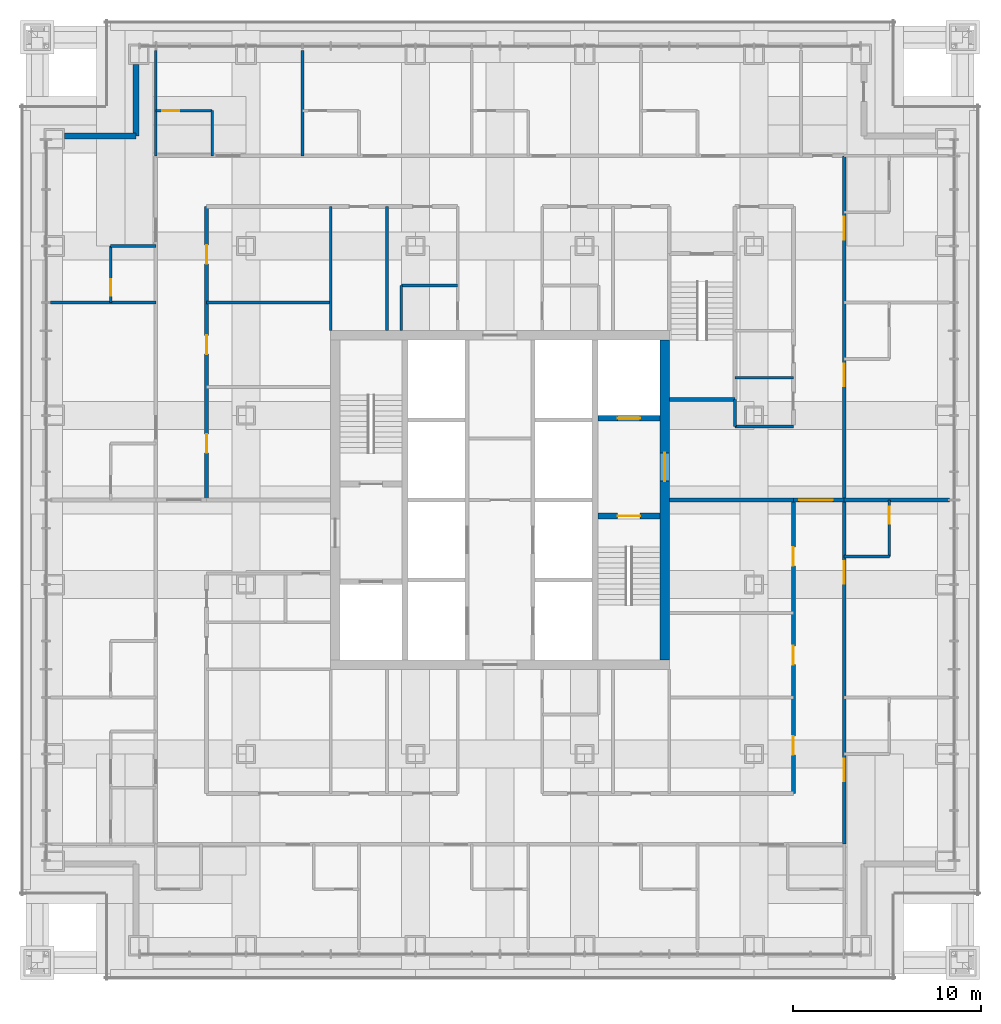
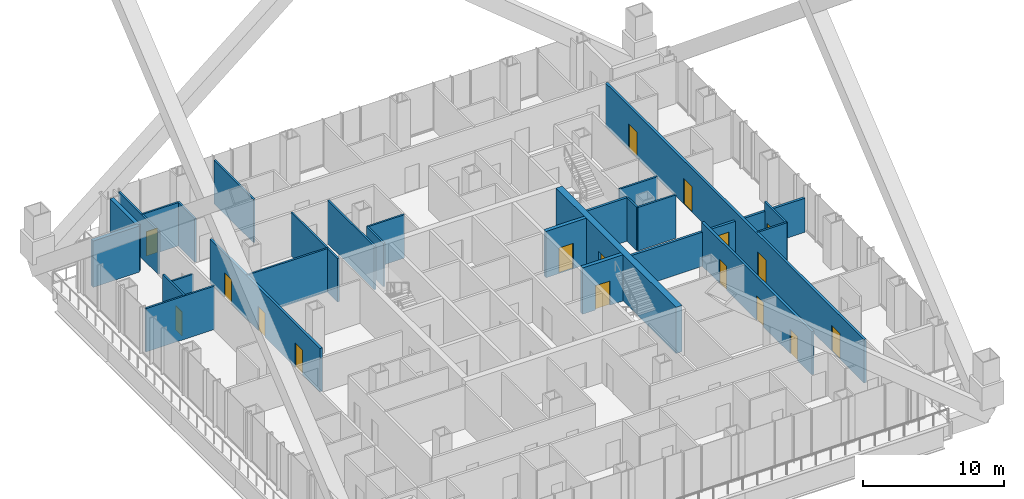
# One storey, part 17 of 20: 29 walls, 17 doors, 17 openings.
"""IFC4 building model written with IfcOpenShell, lengths in metres."""

from ifc_helpers import new_model, si_unit, direction, frame, frame_2d, origin, place, context, subcontext, project, spatial, rectangle, extrude, material, layer, layer_set, type_object, element, fill, save


model = new_model("IFC4")

# Units and contexts
model_context = context("Model", 3, precision=1e-05, world=origin(), true_north=direction((0.0, 1.0)))
body_context = subcontext(model_context, "Body", "Model", "MODEL_VIEW")
ifc_project = project(units=[si_unit("LENGTHUNIT", "METRE"), si_unit("AREAUNIT", "SQUARE_METRE"), si_unit("VOLUMEUNIT", "CUBIC_METRE"), si_unit("PLANEANGLEUNIT", "RADIAN"), si_unit("MASSUNIT", "GRAM", prefix="KILO")], contexts=[model_context])

# Site, building, storey
site_placement = place(None, origin())
site = spatial("IfcSite", under=ifc_project, at=site_placement, CompositionType="ELEMENT")
building_placement = place(site_placement, origin())
building = spatial("IfcBuilding", under=site, at=building_placement, Name="Malebo Sky Hospital", CompositionType="ELEMENT")
storey_placement = place(building_placement, frame((0.0, 0.0, 100.0)))
storey = spatial("IfcBuildingStorey", under=building, at=storey_placement, Name="L23", CompositionType="ELEMENT", Elevation=100.0)

# Wall, opening, door
ifc_material_1 = material(Name="Concrete C80/95", Category="concrete")
ifc_layer_1 = layer(ifc_material_1, 0.300048828125)
ifc_layer_set_1 = layer_set([ifc_layer_1], Name="CORE INNER WALL 300")
wall_type_1 = type_object("IfcWallType", Name="CORE INNER WALL 300", PredefinedType="SHEAR", material=ifc_layer_set_1)
wall_1_placement = place(storey_placement, frame((65.199951171875, 61.14990234375, 0.0), z_axis=(0.0, 0.0, 1.0), x_axis=(1.0, 0.0, 0.0)))
wall_1 = element("IfcWall", 1, at=wall_1_placement, inside=storey, type_object=wall_type_1, Name="Core wall E1 L23", PredefinedType="SHEAR", context=body_context, shape_type="SweptSolid", body=[
    extrude(rectangle(XDim=3.300048828125, YDim=0.300048828125, at=frame_2d((1.64990234375, 0.0))), origin(), (0.0, 0.0, 1.0), 4.0),
])
opening_1_placement = place(wall_1_placement, frame((1.050048828125, 0.0, 0.0)))
opening_1 = element("IfcOpeningElement", 2, at=opening_1_placement, cuts=wall_1, Name="Opening D08", PredefinedType="OPENING", context=body_context, shape_type="SweptSolid", body=[
    extrude(rectangle(XDim=1.199951171875, YDim=2.10009765625, at=frame_2d((0.60009765625, 1.050048828125))), frame((0.0, 0.159912109375, 0.0), z_axis=(0.0, -1.0, 0.0), x_axis=(1.0, 0.0, 0.0)), (0.0, 0.0, 1.0), 0.320068359375),
])
ifc_material_2 = material(Name="Hardwood-faced door leaf in steel frame", Category="steel")
door_type_1 = type_object("IfcDoorType", Name="STAIR DOOR 1200", OperationType="SINGLE_SWING_LEFT", PredefinedType="DOOR", material=ifc_material_2)
door_1_placement = place(opening_1_placement, origin())
door_1 = element("IfcDoor", 3, at=door_1_placement, inside=storey, type_object=door_type_1, Name="Stair S2 door", OperationType="SINGLE_SWING_LEFT", OverallHeight=2.10009765625, OverallWidth=1.199951171875, PredefinedType="DOOR", context=body_context, shape_type="SweptSolid", body=[
    extrude(rectangle(XDim=1.199951171875, YDim=2.10009765625, at=frame_2d((0.60009765625, 1.050048828125))), frame((0.0, 0.02490234375, 0.0), z_axis=(0.0, -1.0, 0.0), x_axis=(1.0, 0.0, 0.0)), (0.0, 0.0, 1.0), 0.050048828125),
])
fill(opening_1, door_1)

wall_2_placement = place(storey_placement, frame((65.199951171875, 66.35009765625, 0.0), z_axis=(0.0, 0.0, 1.0), x_axis=(1.0, 0.0, 0.0)))
wall_2 = element("IfcWall", 4, at=wall_2_placement, inside=storey, type_object=wall_type_1, Name="Core wall E2 L23", PredefinedType="SHEAR", context=body_context, shape_type="SweptSolid", body=[
    extrude(rectangle(XDim=3.300048828125, YDim=0.300048828125, at=frame_2d((1.64990234375, 0.0))), origin(), (0.0, 0.0, 1.0), 4.0),
])
opening_2_placement = place(wall_2_placement, frame((1.050048828125, 0.0, 0.0)))
opening_2 = element("IfcOpeningElement", 5, at=opening_2_placement, cuts=wall_2, Name="Opening LD2", PredefinedType="OPENING", context=body_context, shape_type="SweptSolid", body=[
    extrude(rectangle(XDim=1.199951171875, YDim=2.199951171875, at=frame_2d((0.60009765625, 1.10009765625))), frame((0.0, 0.159912109375, 0.0), z_axis=(0.0, -1.0, 0.0), x_axis=(1.0, 0.0, 0.0)), (0.0, 0.0, 1.0), 0.320068359375),
])
ifc_material_3 = material(Name="Stainless steel sliding landing door", Category="steel")
door_type_2 = type_object("IfcDoorType", Name="FIRE-FIGHTING LIFT LANDING DOOR 1200", OperationType="SLIDING_TO_LEFT", PredefinedType="DOOR", material=ifc_material_3)
door_2_placement = place(opening_2_placement, origin())
door_2 = element("IfcDoor", 6, at=door_2_placement, inside=storey, type_object=door_type_2, Name="Lift FL2 landing door", OperationType="SLIDING_TO_LEFT", OverallHeight=2.199951171875, OverallWidth=1.199951171875, PredefinedType="DOOR", context=body_context, shape_type="SweptSolid", body=[
    extrude(rectangle(XDim=1.199951171875, YDim=2.199951171875, at=frame_2d((0.60009765625, 1.10009765625))), frame((0.0, 0.02490234375, 0.0), z_axis=(0.0, -1.0, 0.0), x_axis=(1.0, 0.0, 0.0)), (0.0, 0.0, 1.0), 0.050048828125),
])
fill(opening_2, door_2)

ifc_layer_2 = layer(ifc_material_1, 0.5)
ifc_layer_set_2 = layer_set([ifc_layer_2], Name="CORE WALL 500")
wall_type_2 = type_object("IfcWallType", Name="CORE WALL 500", PredefinedType="SHEAR", material=ifc_layer_set_2)
wall_3_placement = place(storey_placement, frame((68.75, 53.5, 0.0), z_axis=(0.0, 0.0, 1.0), x_axis=(0.0, 1.0, 0.0)))
wall_3 = element("IfcWall", 7, at=wall_3_placement, inside=storey, type_object=wall_type_2, Name="Core wall E L23", PredefinedType="SHEAR", context=body_context, shape_type="SweptSolid", body=[
    extrude(rectangle(XDim=17.0, YDim=0.5, at=frame_2d((8.5, 0.0))), origin(), (0.0, 0.0, 1.0), 4.0),
])
opening_3_placement = place(wall_3_placement, frame((9.5, 0.0, 0.0)))
opening_3 = element("IfcOpeningElement", 8, at=opening_3_placement, cuts=wall_3, Name="Opening D07", PredefinedType="OPENING", context=body_context, shape_type="SweptSolid", body=[
    extrude(rectangle(XDim=1.5, YDim=2.199951171875, at=frame_2d((0.75, 1.10009765625))), frame((0.0, 0.260009765625, 0.0), z_axis=(0.0, -1.0, 0.0), x_axis=(1.0, 0.0, 0.0)), (0.0, 0.0, 1.0), 0.52001953125),
])
door_type_3 = type_object("IfcDoorType", Name="FIRE-FIGHTING LOBBY DOOR PAIR 1500", OperationType="DOUBLE_DOOR_SINGLE_SWING", PredefinedType="DOOR", material=ifc_material_2)
door_3_placement = place(opening_3_placement, origin())
door_3 = element("IfcDoor", 9, at=door_3_placement, inside=storey, type_object=door_type_3, Name="Fire-fighting lobby door east", OperationType="DOUBLE_DOOR_SINGLE_SWING", OverallHeight=2.199951171875, OverallWidth=1.5, PredefinedType="DOOR", context=body_context, shape_type="SweptSolid", body=[
    extrude(rectangle(XDim=1.5, YDim=2.199951171875, at=frame_2d((0.75, 1.10009765625))), frame((0.0, 0.02490234375, 0.0), z_axis=(0.0, -1.0, 0.0), x_axis=(1.0, 0.0, 0.0)), (0.0, 0.0, 1.0), 0.050048828125),
])
fill(opening_3, door_3)

# Wall, openings, doors
ifc_material_4 = material(Name="Gypsum board on steel studs", Category="steel")
ifc_layer_3 = layer(ifc_material_4, 0.199951171875)
ifc_layer_set_3 = layer_set([ifc_layer_3], Name="CORRIDOR WALL 200")
wall_type_3 = type_object("IfcWallType", Name="CORRIDOR WALL 200", PredefinedType="PARTITIONING", material=ifc_layer_set_3)
wall_4_placement = place(storey_placement, frame((44.39990234375, 62.0, 0.0), z_axis=(0.0, 0.0, 1.0), x_axis=(0.0, 1.0, 0.0)))
wall_4 = element("IfcWall", 10, at=wall_4_placement, inside=storey, type_object=wall_type_3, Name="Corridor Wall 200 WCI2", PredefinedType="PARTITIONING", context=body_context, shape_type="SweptSolid", body=[
    extrude(rectangle(XDim=15.60009765625, YDim=0.199951171875, at=frame_2d((7.800048828125, 0.0))), origin(), (0.0, 0.0, 1.0), 3.75),
])
opening_4_placement = place(wall_4_placement, frame((2.5, 0.0, 0.0)))
opening_4 = element("IfcOpeningElement", 11, at=opening_4_placement, cuts=wall_4, Name="Opening D03", PredefinedType="OPENING", context=body_context, shape_type="SweptSolid", body=[
    extrude(rectangle(XDim=1.0, YDim=2.10009765625, at=frame_2d((0.5, 1.050048828125))), frame((0.0, 0.10986328125, 0.0), z_axis=(0.0, -1.0, 0.0), x_axis=(1.0, 0.0, 0.0)), (0.0, 0.0, 1.0), 0.219970703125),
])
opening_5_placement = place(wall_4_placement, frame((7.75, 0.0, 0.0)))
opening_5 = element("IfcOpeningElement", 12, at=opening_5_placement, cuts=wall_4, Name="Opening D03", PredefinedType="OPENING", context=body_context, shape_type="SweptSolid", body=[
    extrude(rectangle(XDim=1.0, YDim=2.10009765625, at=frame_2d((0.5, 1.050048828125))), frame((0.0, 0.10986328125, 0.0), z_axis=(0.0, -1.0, 0.0), x_axis=(1.0, 0.0, 0.0)), (0.0, 0.0, 1.0), 0.219970703125),
])
opening_6_placement = place(wall_4_placement, frame((12.550048828125, 0.0, 0.0)))
opening_6 = element("IfcOpeningElement", 13, at=opening_6_placement, cuts=wall_4, Name="Opening D03", PredefinedType="OPENING", context=body_context, shape_type="SweptSolid", body=[
    extrude(rectangle(XDim=1.0, YDim=2.10009765625, at=frame_2d((0.5, 1.050048828125))), frame((0.0, 0.10986328125, 0.0), z_axis=(0.0, -1.0, 0.0), x_axis=(1.0, 0.0, 0.0)), (0.0, 0.0, 1.0), 0.219970703125),
])
door_type_4 = type_object("IfcDoorType", Name="ROOM DOOR 1000", OperationType="SINGLE_SWING_LEFT", PredefinedType="DOOR", material=ifc_material_2)
door_4_placement = place(opening_4_placement, origin())
door_4 = element("IfcDoor", 14, at=door_4_placement, inside=storey, type_object=door_type_4, Name="Treatment room door", OperationType="SINGLE_SWING_LEFT", OverallHeight=2.10009765625, OverallWidth=1.0, PredefinedType="DOOR", context=body_context, shape_type="SweptSolid", body=[
    extrude(rectangle(XDim=1.0, YDim=2.10009765625, at=frame_2d((0.5, 1.050048828125))), frame((0.0, 0.02490234375, 0.0), z_axis=(0.0, -1.0, 0.0), x_axis=(1.0, 0.0, 0.0)), (0.0, 0.0, 1.0), 0.050048828125),
])
fill(opening_4, door_4)
door_5_placement = place(opening_5_placement, origin())
door_5 = element("IfcDoor", 15, at=door_5_placement, inside=storey, type_object=door_type_4, Name="Resuscitation trolley bay door", OperationType="SINGLE_SWING_LEFT", OverallHeight=2.10009765625, OverallWidth=1.0, PredefinedType="DOOR", context=body_context, shape_type="SweptSolid", body=[
    extrude(rectangle(XDim=1.0, YDim=2.10009765625, at=frame_2d((0.5, 1.050048828125))), frame((0.0, 0.02490234375, 0.0), z_axis=(0.0, -1.0, 0.0), x_axis=(1.0, 0.0, 0.0)), (0.0, 0.0, 1.0), 0.050048828125),
])
fill(opening_5, door_5)
door_6_placement = place(opening_6_placement, origin())
door_6 = element("IfcDoor", 16, at=door_6_placement, inside=storey, type_object=door_type_4, Name="Staff base door", OperationType="SINGLE_SWING_RIGHT", OverallHeight=2.10009765625, OverallWidth=1.0, PredefinedType="DOOR", context=body_context, shape_type="SweptSolid", body=[
    extrude(rectangle(XDim=1.0, YDim=2.10009765625, at=frame_2d((0.5, 1.050048828125))), frame((0.0, 0.02490234375, 0.0), z_axis=(0.0, -1.0, 0.0), x_axis=(1.0, 0.0, 0.0)), (0.0, 0.0, 1.0), 0.050048828125),
])
fill(opening_6, door_6)

wall_5_placement = place(storey_placement, frame((78.300048828125, 80.300048828125, 0.0), z_axis=(0.0, 0.0, 1.0), x_axis=(0.0, -1.0, 0.0)))
wall_5 = element("IfcWall", 17, at=wall_5_placement, inside=storey, type_object=wall_type_3, Name="Corridor Wall 200 ECO", PredefinedType="PARTITIONING", context=body_context, shape_type="SweptSolid", body=[
    extrude(rectangle(XDim=36.60009765625, YDim=0.199951171875, at=frame_2d((18.300048828125, 0.0))), origin(), (0.0, 0.0, 1.0), 3.75),
])
opening_7_placement = place(wall_5_placement, frame((3.25, 0.0, 0.0)))
opening_7 = element("IfcOpeningElement", 18, at=opening_7_placement, cuts=wall_5, Name="Opening D01", PredefinedType="OPENING", context=body_context, shape_type="SweptSolid", body=[
    extrude(rectangle(XDim=1.199951171875, YDim=2.199951171875, at=frame_2d((0.60009765625, 1.10009765625))), frame((0.0, 0.10986328125, 0.0), z_axis=(0.0, -1.0, 0.0), x_axis=(1.0, 0.0, 0.0)), (0.0, 0.0, 1.0), 0.219970703125),
])
opening_8_placement = place(wall_5_placement, frame((11.050048828125, 0.0, 0.0)))
opening_8 = element("IfcOpeningElement", 19, at=opening_8_placement, cuts=wall_5, Name="Opening D01", PredefinedType="OPENING", context=body_context, shape_type="SweptSolid", body=[
    extrude(rectangle(XDim=1.199951171875, YDim=2.199951171875, at=frame_2d((0.60009765625, 1.10009765625))), frame((0.0, 0.10986328125, 0.0), z_axis=(0.0, -1.0, 0.0), x_axis=(1.0, 0.0, 0.0)), (0.0, 0.0, 1.0), 0.219970703125),
])
opening_9_placement = place(wall_5_placement, frame((21.550048828125, 0.0, 0.0)))
opening_9 = element("IfcOpeningElement", 20, at=opening_9_placement, cuts=wall_5, Name="Opening D01", PredefinedType="OPENING", context=body_context, shape_type="SweptSolid", body=[
    extrude(rectangle(XDim=1.199951171875, YDim=2.199951171875, at=frame_2d((0.60009765625, 1.10009765625))), frame((0.0, 0.10986328125, 0.0), z_axis=(0.0, -1.0, 0.0), x_axis=(1.0, 0.0, 0.0)), (0.0, 0.0, 1.0), 0.219970703125),
])
opening_10_placement = place(wall_5_placement, frame((32.050048828125, 0.0, 0.0)))
opening_10 = element("IfcOpeningElement", 21, at=opening_10_placement, cuts=wall_5, Name="Opening D01", PredefinedType="OPENING", context=body_context, shape_type="SweptSolid", body=[
    extrude(rectangle(XDim=1.199951171875, YDim=2.199951171875, at=frame_2d((0.60009765625, 1.10009765625))), frame((0.0, 0.10986328125, 0.0), z_axis=(0.0, -1.0, 0.0), x_axis=(1.0, 0.0, 0.0)), (0.0, 0.0, 1.0), 0.219970703125),
])
door_type_5 = type_object("IfcDoorType", Name="BED DOOR 1200", OperationType="SINGLE_SWING_LEFT", PredefinedType="DOOR", material=ifc_material_2)
door_7_placement = place(opening_7_placement, origin())
door_7 = element("IfcDoor", 22, at=door_7_placement, inside=storey, type_object=door_type_5, Name="Coronary care room door", OperationType="SINGLE_SWING_LEFT", OverallHeight=2.199951171875, OverallWidth=1.199951171875, PredefinedType="DOOR", context=body_context, shape_type="SweptSolid", body=[
    extrude(rectangle(XDim=1.199951171875, YDim=2.199951171875, at=frame_2d((0.60009765625, 1.10009765625))), frame((0.0, 0.02490234375, 0.0), z_axis=(0.0, -1.0, 0.0), x_axis=(1.0, 0.0, 0.0)), (0.0, 0.0, 1.0), 0.050048828125),
])
fill(opening_7, door_7)
door_8_placement = place(opening_8_placement, origin())
door_8 = element("IfcDoor", 23, at=door_8_placement, inside=storey, type_object=door_type_5, Name="Coronary care room door", OperationType="SINGLE_SWING_LEFT", OverallHeight=2.199951171875, OverallWidth=1.199951171875, PredefinedType="DOOR", context=body_context, shape_type="SweptSolid", body=[
    extrude(rectangle(XDim=1.199951171875, YDim=2.199951171875, at=frame_2d((0.60009765625, 1.10009765625))), frame((0.0, 0.02490234375, 0.0), z_axis=(0.0, -1.0, 0.0), x_axis=(1.0, 0.0, 0.0)), (0.0, 0.0, 1.0), 0.050048828125),
])
fill(opening_8, door_8)
door_9_placement = place(opening_9_placement, origin())
door_9 = element("IfcDoor", 24, at=door_9_placement, inside=storey, type_object=door_type_5, Name="Coronary care room door", OperationType="SINGLE_SWING_LEFT", OverallHeight=2.199951171875, OverallWidth=1.199951171875, PredefinedType="DOOR", context=body_context, shape_type="SweptSolid", body=[
    extrude(rectangle(XDim=1.199951171875, YDim=2.199951171875, at=frame_2d((0.60009765625, 1.10009765625))), frame((0.0, 0.02490234375, 0.0), z_axis=(0.0, -1.0, 0.0), x_axis=(1.0, 0.0, 0.0)), (0.0, 0.0, 1.0), 0.050048828125),
])
fill(opening_9, door_9)
door_10_placement = place(opening_10_placement, origin())
door_10 = element("IfcDoor", 25, at=door_10_placement, inside=storey, type_object=door_type_5, Name="Two-bed room door", OperationType="SINGLE_SWING_LEFT", OverallHeight=2.199951171875, OverallWidth=1.199951171875, PredefinedType="DOOR", context=body_context, shape_type="SweptSolid", body=[
    extrude(rectangle(XDim=1.199951171875, YDim=2.199951171875, at=frame_2d((0.60009765625, 1.10009765625))), frame((0.0, 0.02490234375, 0.0), z_axis=(0.0, -1.0, 0.0), x_axis=(1.0, 0.0, 0.0)), (0.0, 0.0, 1.0), 0.050048828125),
])
fill(opening_10, door_10)

wall_6_placement = place(storey_placement, frame((75.60009765625, 62.0, 0.0), z_axis=(0.0, 0.0, 1.0), x_axis=(0.0, -1.0, 0.0)))
wall_6 = element("IfcWall", 26, at=wall_6_placement, inside=storey, type_object=wall_type_3, Name="Corridor Wall 200 ECI2", PredefinedType="PARTITIONING", context=body_context, shape_type="SweptSolid", body=[
    extrude(rectangle(XDim=15.60009765625, YDim=0.199951171875, at=frame_2d((7.800048828125, 0.0))), origin(), (0.0, 0.0, 1.0), 3.75),
])
opening_11_placement = place(wall_6_placement, frame((2.5, 0.0, 0.0)))
opening_11 = element("IfcOpeningElement", 27, at=opening_11_placement, cuts=wall_6, Name="Opening D03", PredefinedType="OPENING", context=body_context, shape_type="SweptSolid", body=[
    extrude(rectangle(XDim=1.0, YDim=2.10009765625, at=frame_2d((0.5, 1.050048828125))), frame((0.0, 0.10986328125, 0.0), z_axis=(0.0, -1.0, 0.0), x_axis=(1.0, 0.0, 0.0)), (0.0, 0.0, 1.0), 0.219970703125),
])
opening_12_placement = place(wall_6_placement, frame((7.75, 0.0, 0.0)))
opening_12 = element("IfcOpeningElement", 28, at=opening_12_placement, cuts=wall_6, Name="Opening D03", PredefinedType="OPENING", context=body_context, shape_type="SweptSolid", body=[
    extrude(rectangle(XDim=1.0, YDim=2.10009765625, at=frame_2d((0.5, 1.050048828125))), frame((0.0, 0.10986328125, 0.0), z_axis=(0.0, -1.0, 0.0), x_axis=(1.0, 0.0, 0.0)), (0.0, 0.0, 1.0), 0.219970703125),
])
opening_13_placement = place(wall_6_placement, frame((12.550048828125, 0.0, 0.0)))
opening_13 = element("IfcOpeningElement", 29, at=opening_13_placement, cuts=wall_6, Name="Opening D03", PredefinedType="OPENING", context=body_context, shape_type="SweptSolid", body=[
    extrude(rectangle(XDim=1.0, YDim=2.10009765625, at=frame_2d((0.5, 1.050048828125))), frame((0.0, 0.10986328125, 0.0), z_axis=(0.0, -1.0, 0.0), x_axis=(1.0, 0.0, 0.0)), (0.0, 0.0, 1.0), 0.219970703125),
])
door_11_placement = place(opening_11_placement, origin())
door_11 = element("IfcDoor", 30, at=door_11_placement, inside=storey, type_object=door_type_4, Name="Consulting room door", OperationType="SINGLE_SWING_LEFT", OverallHeight=2.10009765625, OverallWidth=1.0, PredefinedType="DOOR", context=body_context, shape_type="SweptSolid", body=[
    extrude(rectangle(XDim=1.0, YDim=2.10009765625, at=frame_2d((0.5, 1.050048828125))), frame((0.0, 0.02490234375, 0.0), z_axis=(0.0, -1.0, 0.0), x_axis=(1.0, 0.0, 0.0)), (0.0, 0.0, 1.0), 0.050048828125),
])
fill(opening_11, door_11)
door_12_placement = place(opening_12_placement, origin())
door_12 = element("IfcDoor", 31, at=door_12_placement, inside=storey, type_object=door_type_4, Name="Interview room door", OperationType="SINGLE_SWING_LEFT", OverallHeight=2.10009765625, OverallWidth=1.0, PredefinedType="DOOR", context=body_context, shape_type="SweptSolid", body=[
    extrude(rectangle(XDim=1.0, YDim=2.10009765625, at=frame_2d((0.5, 1.050048828125))), frame((0.0, 0.02490234375, 0.0), z_axis=(0.0, -1.0, 0.0), x_axis=(1.0, 0.0, 0.0)), (0.0, 0.0, 1.0), 0.050048828125),
])
fill(opening_12, door_12)
door_13_placement = place(opening_13_placement, origin())
door_13 = element("IfcDoor", 32, at=door_13_placement, inside=storey, type_object=door_type_4, Name="Staff base door", OperationType="SINGLE_SWING_RIGHT", OverallHeight=2.10009765625, OverallWidth=1.0, PredefinedType="DOOR", context=body_context, shape_type="SweptSolid", body=[
    extrude(rectangle(XDim=1.0, YDim=2.10009765625, at=frame_2d((0.5, 1.050048828125))), frame((0.0, 0.02490234375, 0.0), z_axis=(0.0, -1.0, 0.0), x_axis=(1.0, 0.0, 0.0)), (0.0, 0.0, 1.0), 0.050048828125),
])
fill(opening_13, door_13)

# Walls
ifc_material_5 = material(Name="Anodised aluminium rainscreen on steel framing", Category="steel")
ifc_layer_4 = layer(ifc_material_5, 0.300048828125)
ifc_layer_set_4 = layer_set([ifc_layer_4], Name="NOTCH RAINSCREEN WALL 300")
wall_type_4 = type_object("IfcWallType", Name="NOTCH RAINSCREEN WALL 300", PredefinedType="ELEMENTEDWALL", material=ifc_layer_set_4)
for number, where, z_axis, x_axis, name in (
    (33, (36.85009765625, 81.35009765625, 0.0), (0.0, 0.0, 1.0), (1.0, 0.0, 0.0), "Notch rainscreen wall W1 L23"),
    (34, (40.64990234375, 81.35009765625, 0.0), (0.0, 0.0, 1.0), (0.0, 1.0, 0.0), "Notch rainscreen wall W2 L23"),
):
    element("IfcWall", number, at=place(storey_placement, frame(where, z_axis=z_axis, x_axis=x_axis)), inside=storey, type_object=wall_type_4, Name=name, PredefinedType="ELEMENTEDWALL", context=body_context, shape_type="SweptSolid", body=[
        extrude(rectangle(XDim=3.7998046875, YDim=0.300048828125, at=frame_2d((1.89990234375, 0.0))), origin(), (0.0, 0.0, 1.0), 4.0),
    ])
ifc_layer_5 = layer(ifc_material_4, 0.14990234375)
ifc_layer_set_5 = layer_set([ifc_layer_5], Name="PARTITION 150")
wall_type_5 = type_object("IfcWallType", Name="PARTITION 150", PredefinedType="PARTITIONING", material=ifc_layer_set_5)
for number, where, z_axis, x_axis, name in (
    (35, (49.5, 80.300048828125, 0.0), (0.0, 0.0, 1.0), (0.0, 1.0, 0.0), "Partition 150 NP-10.5"),
    (36, (41.699951171875, 80.300048828125, 0.0), (0.0, 0.0, 1.0), (0.0, 1.0, 0.0), "Partition 150 NP0"),
):
    element("IfcWall", number, at=place(storey_placement, frame(where, z_axis=z_axis, x_axis=x_axis)), inside=storey, type_object=wall_type_5, Name=name, PredefinedType="PARTITIONING", context=body_context, shape_type="SweptSolid", body=[
        extrude(rectangle(XDim=5.60986328125, YDim=0.14990234375, at=frame_2d((2.804931640625, 0.0))), origin(), (0.0, 0.0, 1.0), 3.75),
    ])

# Wall, opening, door
wall_7_placement = place(storey_placement, frame((41.699951171875, 82.699951171875, 0.0), z_axis=(0.0, 0.0, 1.0), x_axis=(1.0, 0.0, 0.0)))
wall_7 = element("IfcWall", 37, at=wall_7_placement, inside=storey, type_object=wall_type_5, Name="Partition 150 NE0F", PredefinedType="PARTITIONING", context=body_context, shape_type="SweptSolid", body=[
    extrude(rectangle(XDim=3.0, YDim=0.14990234375, at=frame_2d((1.5, 0.0))), origin(), (0.0, 0.0, 1.0), 3.75),
])
opening_14_placement = place(wall_7_placement, frame((0.35009765625, 0.0, 0.0)))
opening_14 = element("IfcOpeningElement", 38, at=opening_14_placement, cuts=wall_7, Name="Opening D02", PredefinedType="OPENING", context=body_context, shape_type="SweptSolid", body=[
    extrude(rectangle(XDim=0.89990234375, YDim=2.10009765625, at=frame_2d((0.449951171875, 1.050048828125))), frame((0.0, 0.0849609375, 0.0), z_axis=(0.0, -1.0, 0.0), x_axis=(1.0, 0.0, 0.0)), (0.0, 0.0, 1.0), 0.169921875),
])
door_type_6 = type_object("IfcDoorType", Name="EN-SUITE DOOR 900", OperationType="SINGLE_SWING_LEFT", PredefinedType="DOOR", material=ifc_material_2)
door_14_placement = place(opening_14_placement, origin())
door_14 = element("IfcDoor", 39, at=door_14_placement, inside=storey, type_object=door_type_6, Name="En-suite door", OperationType="SINGLE_SWING_LEFT", OverallHeight=2.10009765625, OverallWidth=0.89990234375, PredefinedType="DOOR", context=body_context, shape_type="SweptSolid", body=[
    extrude(rectangle(XDim=0.89990234375, YDim=2.10009765625, at=frame_2d((0.449951171875, 1.050048828125))), frame((0.0, 0.02490234375, 0.0), z_axis=(0.0, -1.0, 0.0), x_axis=(1.0, 0.0, 0.0)), (0.0, 0.0, 1.0), 0.050048828125),
])
fill(opening_14, door_14)

# Walls
wall_8_placement = place(storey_placement, frame((44.699951171875, 80.300048828125, 0.0), z_axis=(0.0, 0.0, 1.0), x_axis=(0.0, 1.0, 0.0)))
element("IfcWall", 40, at=wall_8_placement, inside=storey, type_object=wall_type_5, Name="Partition 150 NE0S", PredefinedType="PARTITIONING", context=body_context, shape_type="SweptSolid", body=[
    extrude(rectangle(XDim=2.39990234375, YDim=0.14990234375, at=frame_2d((1.199951171875, 0.0))), origin(), (0.0, 0.0, 1.0), 3.75),
])
for number, where, z_axis, x_axis, name in (
    (41, (51.0, 71.0, 0.0), (0.0, 0.0, 1.0), (0.0, 1.0, 0.0), "Partition 150 NSP0"),
    (42, (54.0, 71.0, 0.0), (0.0, 0.0, 1.0), (0.0, 1.0, 0.0), "Partition 150 NSP-6.0"),
):
    element("IfcWall", number, at=place(storey_placement, frame(where, z_axis=z_axis, x_axis=x_axis)), inside=storey, type_object=wall_type_5, Name=name, PredefinedType="PARTITIONING", context=body_context, shape_type="SweptSolid", body=[
        extrude(rectangle(XDim=6.60009765625, YDim=0.14990234375, at=frame_2d((3.300048828125, 0.0))), origin(), (0.0, 0.0, 1.0), 3.75),
    ])
wall_9_placement = place(storey_placement, frame((54.75, 73.39990234375, 0.0), z_axis=(0.0, 0.0, 1.0), x_axis=(1.0, 0.0, 0.0)))
element("IfcWall", 43, at=wall_9_placement, inside=storey, type_object=wall_type_5, Name="Partition 150 NSX1", PredefinedType="PARTITIONING", context=body_context, shape_type="SweptSolid", body=[
    extrude(rectangle(XDim=3.0, YDim=0.14990234375, at=frame_2d((1.5, 0.0))), origin(), (0.0, 0.0, 1.0), 3.75),
])
wall_10_placement = place(storey_placement, frame((54.75, 71.0, 0.0), z_axis=(0.0, 0.0, 1.0), x_axis=(0.0, 1.0, 0.0)))
element("IfcWall", 44, at=wall_10_placement, inside=storey, type_object=wall_type_5, Name="Partition 150 NSY1", PredefinedType="PARTITIONING", context=body_context, shape_type="SweptSolid", body=[
    extrude(rectangle(XDim=2.39990234375, YDim=0.14990234375, at=frame_2d((1.199951171875, 0.0))), origin(), (0.0, 0.0, 1.0), 3.75),
])
wall_11_placement = place(storey_placement, frame((41.699951171875, 72.5, 0.0), z_axis=(0.0, 0.0, 1.0), x_axis=(-1.0, 0.0, 0.0)))
element("IfcWall", 45, at=wall_11_placement, inside=storey, type_object=wall_type_5, Name="Partition 150 WP+10.5", PredefinedType="PARTITIONING", context=body_context, shape_type="SweptSolid", body=[
    extrude(rectangle(XDim=5.60986328125, YDim=0.14990234375, at=frame_2d((2.804931640625, 0.0))), origin(), (0.0, 0.0, 1.0), 3.75),
])

# Wall, opening, door
wall_12_placement = place(storey_placement, frame((39.300048828125, 72.5, 0.0), z_axis=(0.0, 0.0, 1.0), x_axis=(0.0, 1.0, 0.0)))
wall_12 = element("IfcWall", 46, at=wall_12_placement, inside=storey, type_object=wall_type_5, Name="Partition 150 WE3F", PredefinedType="PARTITIONING", context=body_context, shape_type="SweptSolid", body=[
    extrude(rectangle(XDim=3.0, YDim=0.14990234375, at=frame_2d((1.5, 0.0))), origin(), (0.0, 0.0, 1.0), 3.75),
])
opening_15_placement = place(wall_12_placement, frame((0.35009765625, 0.0, 0.0)))
opening_15 = element("IfcOpeningElement", 47, at=opening_15_placement, cuts=wall_12, Name="Opening D02", PredefinedType="OPENING", context=body_context, shape_type="SweptSolid", body=[
    extrude(rectangle(XDim=0.89990234375, YDim=2.10009765625, at=frame_2d((0.449951171875, 1.050048828125))), frame((0.0, 0.0849609375, 0.0), z_axis=(0.0, -1.0, 0.0), x_axis=(1.0, 0.0, 0.0)), (0.0, 0.0, 1.0), 0.169921875),
])
door_15_placement = place(opening_15_placement, origin())
door_15 = element("IfcDoor", 48, at=door_15_placement, inside=storey, type_object=door_type_6, Name="En-suite door", OperationType="SINGLE_SWING_LEFT", OverallHeight=2.10009765625, OverallWidth=0.89990234375, PredefinedType="DOOR", context=body_context, shape_type="SweptSolid", body=[
    extrude(rectangle(XDim=0.89990234375, YDim=2.10009765625, at=frame_2d((0.449951171875, 1.050048828125))), frame((0.0, 0.02490234375, 0.0), z_axis=(0.0, -1.0, 0.0), x_axis=(1.0, 0.0, 0.0)), (0.0, 0.0, 1.0), 0.050048828125),
])
fill(opening_15, door_15)

# Walls
wall_13_placement = place(storey_placement, frame((41.699951171875, 75.5, 0.0), z_axis=(0.0, 0.0, 1.0), x_axis=(-1.0, 0.0, 0.0)))
element("IfcWall", 49, at=wall_13_placement, inside=storey, type_object=wall_type_5, Name="Partition 150 WE3S", PredefinedType="PARTITIONING", context=body_context, shape_type="SweptSolid", body=[
    extrude(rectangle(XDim=2.39990234375, YDim=0.14990234375, at=frame_2d((1.199951171875, 0.0))), origin(), (0.0, 0.0, 1.0), 2.949951171875),
])
wall_14_placement = place(storey_placement, frame((51.0, 72.5, 0.0), z_axis=(0.0, 0.0, 1.0), x_axis=(-1.0, 0.0, 0.0)))
element("IfcWall", 50, at=wall_14_placement, inside=storey, type_object=wall_type_5, Name="Partition 150 WSP+10.5", PredefinedType="PARTITIONING", context=body_context, shape_type="SweptSolid", body=[
    extrude(rectangle(XDim=6.60009765625, YDim=0.14990234375, at=frame_2d((3.300048828125, 0.0))), origin(), (0.0, 0.0, 1.0), 3.75),
])

# Wall, opening, door
wall_15_placement = place(storey_placement, frame((80.699951171875, 62.0, 0.0), z_axis=(0.0, 0.0, 1.0), x_axis=(0.0, -1.0, 0.0)))
wall_15 = element("IfcWall", 51, at=wall_15_placement, inside=storey, type_object=wall_type_5, Name="Partition 150 EE2F", PredefinedType="PARTITIONING", context=body_context, shape_type="SweptSolid", body=[
    extrude(rectangle(XDim=3.0, YDim=0.14990234375, at=frame_2d((1.5, 0.0))), origin(), (0.0, 0.0, 1.0), 3.75),
])
opening_16_placement = place(wall_15_placement, frame((0.35009765625, 0.0, 0.0)))
opening_16 = element("IfcOpeningElement", 52, at=opening_16_placement, cuts=wall_15, Name="Opening D02", PredefinedType="OPENING", context=body_context, shape_type="SweptSolid", body=[
    extrude(rectangle(XDim=0.89990234375, YDim=2.10009765625, at=frame_2d((0.449951171875, 1.050048828125))), frame((0.0, 0.0849609375, 0.0), z_axis=(0.0, -1.0, 0.0), x_axis=(1.0, 0.0, 0.0)), (0.0, 0.0, 1.0), 0.169921875),
])
door_16_placement = place(opening_16_placement, origin())
door_16 = element("IfcDoor", 53, at=door_16_placement, inside=storey, type_object=door_type_6, Name="En-suite door", OperationType="SINGLE_SWING_LEFT", OverallHeight=2.10009765625, OverallWidth=0.89990234375, PredefinedType="DOOR", context=body_context, shape_type="SweptSolid", body=[
    extrude(rectangle(XDim=0.89990234375, YDim=2.10009765625, at=frame_2d((0.449951171875, 1.050048828125))), frame((0.0, 0.02490234375, 0.0), z_axis=(0.0, -1.0, 0.0), x_axis=(1.0, 0.0, 0.0)), (0.0, 0.0, 1.0), 0.050048828125),
])
fill(opening_16, door_16)

# Walls
wall_16_placement = place(storey_placement, frame((78.300048828125, 59.0, 0.0), z_axis=(0.0, 0.0, 1.0), x_axis=(1.0, 0.0, 0.0)))
element("IfcWall", 54, at=wall_16_placement, inside=storey, type_object=wall_type_5, Name="Partition 150 EE2S", PredefinedType="PARTITIONING", context=body_context, shape_type="SweptSolid", body=[
    extrude(rectangle(XDim=2.39990234375, YDim=0.14990234375, at=frame_2d((1.199951171875, 0.0))), origin(), (0.0, 0.0, 1.0), 3.75),
])
for number, where, z_axis, x_axis, name in (
    (55, (72.5, 65.89990234375, 0.0), (0.0, 0.0, 1.0), (1.0, 0.0, 0.0), "Partition 150 ESPA"),
    (56, (72.5, 68.5, 0.0), (0.0, 0.0, 1.0), (1.0, 0.0, 0.0), "Partition 150 ESP-6.5"),
):
    element("IfcWall", number, at=place(storey_placement, frame(where, z_axis=z_axis, x_axis=x_axis)), inside=storey, type_object=wall_type_5, Name=name, PredefinedType="PARTITIONING", context=body_context, shape_type="SweptSolid", body=[
        extrude(rectangle(XDim=3.10009765625, YDim=0.14990234375, at=frame_2d((1.550048828125, 0.0))), origin(), (0.0, 0.0, 1.0), 3.75),
    ])
wall_17_placement = place(storey_placement, frame((72.5, 65.89990234375, 0.0), z_axis=(0.0, 0.0, 1.0), x_axis=(0.0, 1.0, 0.0)))
element("IfcWall", 57, at=wall_17_placement, inside=storey, type_object=wall_type_5, Name="Partition 150 ST3C", PredefinedType="PARTITIONING", context=body_context, shape_type="SweptSolid", body=[
    extrude(rectangle(XDim=1.4501953125, YDim=0.14990234375, at=frame_2d((0.72509765625, 0.0))), origin(), (0.0, 0.0, 1.0), 3.75),
])
ifc_material_6 = material(Name="Concrete blockwork", Category="masonry")
ifc_layer_6 = layer(ifc_material_6, 0.199951171875)
ifc_layer_set_6 = layer_set([ifc_layer_6], Name="SMOKE BARRIER WALL 200")
wall_type_6 = type_object("IfcWallType", Name="SMOKE BARRIER WALL 200", PredefinedType="SOLIDWALL", material=ifc_layer_set_6)
wall_18_placement = place(storey_placement, frame((78.300048828125, 62.0, 0.0), z_axis=(0.0, 0.0, 1.0), x_axis=(1.0, 0.0, 0.0)))
element("IfcWall", 58, at=wall_18_placement, inside=storey, type_object=wall_type_6, Name="Smoke Barrier Wall 200 EP+0.0", PredefinedType="SOLIDWALL", context=body_context, shape_type="SweptSolid", body=[
    extrude(rectangle(XDim=5.60986328125, YDim=0.199951171875, at=frame_2d((2.804931640625, 0.0))), origin(), (0.0, 0.0, 1.0), 2.949951171875),
])
wall_19_placement = place(storey_placement, frame((69.0, 62.0, 0.0), z_axis=(0.0, 0.0, 1.0), x_axis=(1.0, 0.0, 0.0)))
element("IfcWall", 59, at=wall_19_placement, inside=storey, type_object=wall_type_6, Name="Smoke Barrier Wall 200 ESPB", PredefinedType="SOLIDWALL", context=body_context, shape_type="SweptSolid", body=[
    extrude(rectangle(XDim=6.60009765625, YDim=0.199951171875, at=frame_2d((3.300048828125, 0.0))), origin(), (0.0, 0.0, 1.0), 2.949951171875),
])

# Wall, opening, door
wall_20_placement = place(storey_placement, frame((75.60009765625, 62.0, 0.0), z_axis=(0.0, 0.0, 1.0), x_axis=(1.0, 0.0, 0.0)))
wall_20 = element("IfcWall", 60, at=wall_20_placement, inside=storey, type_object=wall_type_6, Name="Smoke Barrier Wall 200 ESB", PredefinedType="SOLIDWALL", context=body_context, shape_type="SweptSolid", body=[
    extrude(rectangle(XDim=2.699951171875, YDim=0.199951171875, at=frame_2d((1.35009765625, 0.0))), origin(), (0.0, 0.0, 1.0), 2.949951171875),
])
opening_17_placement = place(wall_20_placement, frame((0.300048828125, 0.0, 0.0)))
opening_17 = element("IfcOpeningElement", 61, at=opening_17_placement, cuts=wall_20, Name="Opening D05", PredefinedType="OPENING", context=body_context, shape_type="SweptSolid", body=[
    extrude(rectangle(XDim=1.800048828125, YDim=2.199951171875, at=frame_2d((0.89990234375, 1.10009765625))), frame((0.0, 0.10986328125, 0.0), z_axis=(0.0, -1.0, 0.0), x_axis=(1.0, 0.0, 0.0)), (0.0, 0.0, 1.0), 0.219970703125),
])
door_type_7 = type_object("IfcDoorType", Name="SMOKE DOOR PAIR 1800", OperationType="DOUBLE_DOOR_DOUBLE_SWING", PredefinedType="DOOR", material=ifc_material_2)
door_17_placement = place(opening_17_placement, origin())
door_17 = element("IfcDoor", 62, at=door_17_placement, inside=storey, type_object=door_type_7, Name="Smoke compartment door pair", OperationType="DOUBLE_DOOR_DOUBLE_SWING", OverallHeight=2.199951171875, OverallWidth=1.800048828125, PredefinedType="DOOR", context=body_context, shape_type="SweptSolid", body=[
    extrude(rectangle(XDim=1.800048828125, YDim=2.199951171875, at=frame_2d((0.89990234375, 1.10009765625))), frame((0.0, 0.02490234375, 0.0), z_axis=(0.0, -1.0, 0.0), x_axis=(1.0, 0.0, 0.0)), (0.0, 0.0, 1.0), 0.050048828125),
])
fill(opening_17, door_17)

# Wall
ifc_material_7 = material(Name="Concrete C40/50", Category="concrete")
ifc_layer_7 = layer(ifc_material_7, 0.199951171875)
ifc_layer_set_7 = layer_set([ifc_layer_7], Name="STAIR ENCLOSURE WALL 200")
wall_type_7 = type_object("IfcWallType", Name="STAIR ENCLOSURE WALL 200", PredefinedType="SOLIDWALL", material=ifc_layer_set_7)
wall_21_placement = place(storey_placement, frame((69.0, 67.35009765625, 0.0), z_axis=(0.0, 0.0, 1.0), x_axis=(1.0, 0.0, 0.0)))
element("IfcWall", 63, at=wall_21_placement, inside=storey, type_object=wall_type_7, Name="Stair Enclosure Wall 200 ST3S", PredefinedType="SOLIDWALL", context=body_context, shape_type="SweptSolid", body=[
    extrude(rectangle(XDim=3.5, YDim=0.199951171875, at=frame_2d((1.75, 0.0))), origin(), (0.0, 0.0, 1.0), 3.75),
])

save(model, "model.ifc")
